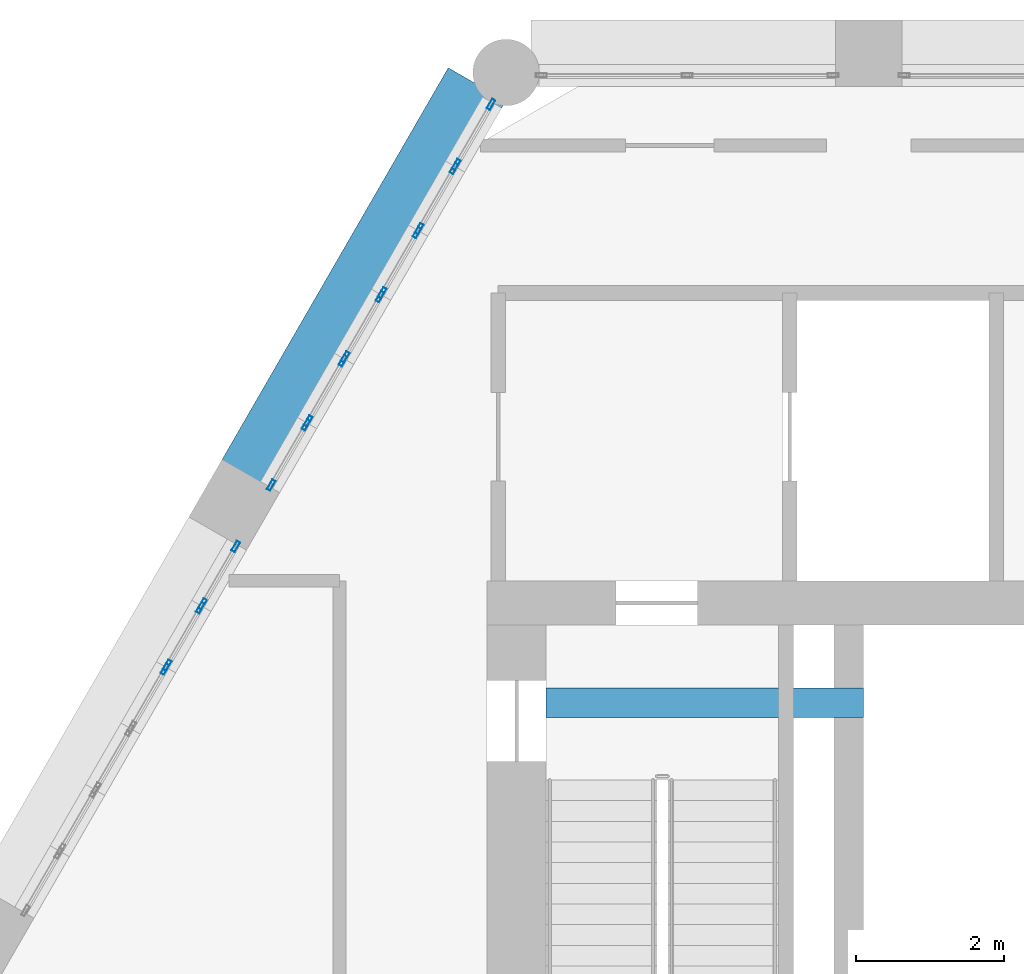
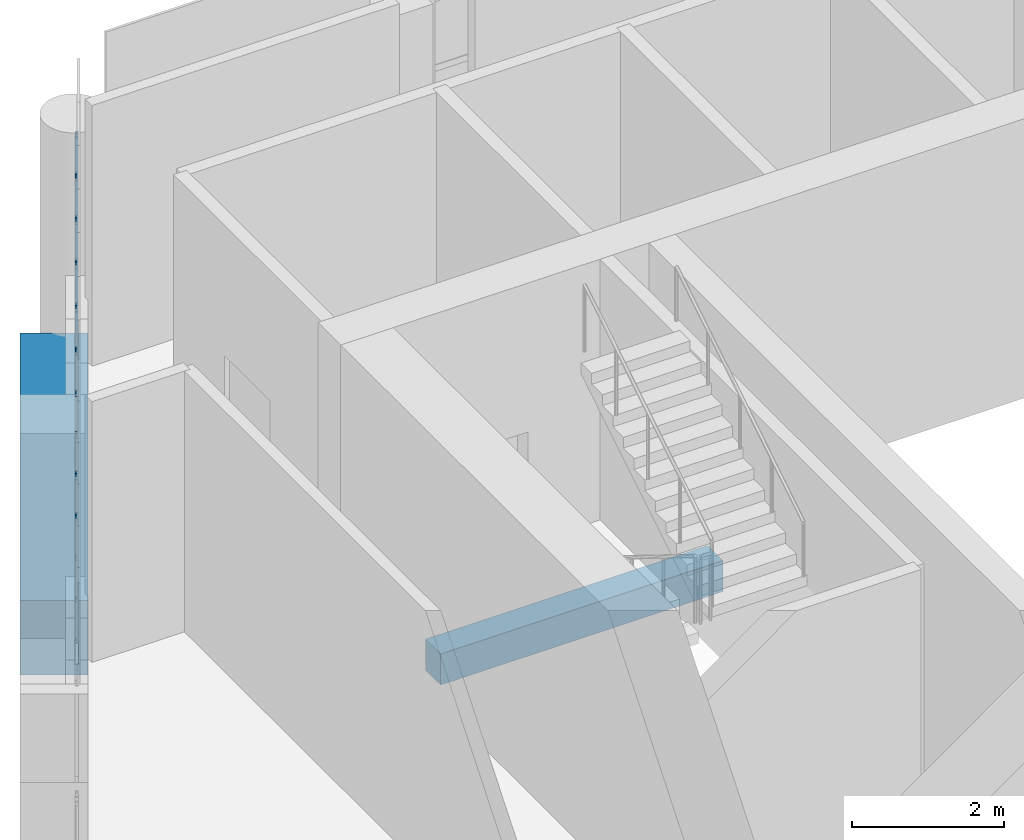
# One storey, part 8 of 25: 17 members, 2 beams, 9 elements without a shape of their own.
"""IFC4 building model written with IfcOpenShell, lengths in metres."""

import ifcopenshell
import ifcopenshell.guid

model = None  # the IFC model being written
_history = None  # IfcOwnerHistory: only IFC2X3 demands one
_inside = {}  # id of a spatial element -> (the spatial element, [elements in it])
_under = {}  # id of a project, library or spatial element -> (it, [spatial elements below it])
_declared = {}  # id of a project -> (the project, [libraries it declares])
_typed = {}  # id of a type object -> (the type object, [elements of that type])
_made_of = {}  # id of a material, layer set ... -> (it, [elements and type objects made of it])


def new_model(schema):
    """Start an empty IFC model of exactly this schema.

    Asked for "IFC4X3", IfcOpenShell would pick the latest addendum, in which some entities
    have other attributes; the version numbers below select the first issue.
    IFC2X3 requires an IfcOwnerHistory on every rooted entity: one is made here for all.
    """
    global model, _history
    if schema == "IFC4X3":
        model = ifcopenshell.file(schema_version=(4, 3, 0, 0))
    else:
        model = ifcopenshell.file(schema=schema)
    _inside.clear()
    _under.clear()
    _declared.clear()
    _typed.clear()
    _made_of.clear()
    _history = None
    if model.schema == "IFC2X3":
        org = make("IfcOrganization", Name="unknown")
        user = make(
            "IfcPersonAndOrganization",
            ThePerson=make("IfcPerson", FamilyName="unknown"),
            TheOrganization=org,
        )
        app = make(
            "IfcApplication",
            ApplicationDeveloper=org,
            Version="unknown",
            ApplicationFullName="unknown",
            ApplicationIdentifier="unknown",
        )
        _history = make(
            "IfcOwnerHistory",
            OwningUser=user,
            OwningApplication=app,
            ChangeAction="ADDED",
            CreationDate=0,
        )
    return model


def make(cls, **values):
    """One entity of the class cls with the attributes given. An attribute that is None is left unset."""
    return model.create_entity(
        cls, **{name: value for name, value in values.items() if value is not None}
    )


def rooted(cls, **values):
    """An entity with a GlobalId (a new one), such as an element, a storey or a relation."""
    return make(cls, GlobalId=ifcopenshell.guid.new(), OwnerHistory=_history, **values)


def si_unit(unit_type, name, prefix=None):
    """IfcSIUnit, for example si_unit("LENGTHUNIT", "METRE", prefix="MILLI")."""
    return make("IfcSIUnit", UnitType=unit_type, Prefix=prefix, Name=name)


def assignment(units):
    """IfcUnitAssignment: the units of a project."""
    return None if units is None else make("IfcUnitAssignment", Units=units)


def point(xyz):
    """IfcCartesianPoint."""
    return None if xyz is None else make("IfcCartesianPoint", Coordinates=xyz)


def direction(xyz):
    """IfcDirection."""
    return None if xyz is None else make("IfcDirection", DirectionRatios=xyz)


def frame(location, z_axis=None, x_axis=None):
    """IfcAxis2Placement3D, a coordinate frame: its origin and axes. An axis left out is left unset."""
    return make(
        "IfcAxis2Placement3D",
        Location=point(location),
        Axis=direction(z_axis),
        RefDirection=direction(x_axis),
    )


def frame_2d(location, x_axis=None):
    """IfcAxis2Placement2D, a coordinate frame in the plane: its origin and x axis."""
    return make(
        "IfcAxis2Placement2D", Location=point(location), RefDirection=direction(x_axis)
    )


def origin():
    """The frame at (0, 0, 0) with its axes left unset."""
    return frame((0.0, 0.0, 0.0))


def origin_2d():
    """The frame at (0, 0) in the plane with its x axis left unset."""
    return frame_2d((0.0, 0.0))


def place(relative_to, where):
    """IfcLocalPlacement: puts the frame where relative to a parent placement (None: the world)."""
    return make(
        "IfcLocalPlacement", PlacementRelTo=relative_to, RelativePlacement=where
    )


def context(
    kind, dimensions, precision=None, world=None, true_north=None, identifier=None
):
    """IfcGeometricRepresentationContext, for example the 3D "Model" context."""
    return make(
        "IfcGeometricRepresentationContext",
        ContextIdentifier=identifier,
        ContextType=kind,
        CoordinateSpaceDimension=dimensions,
        Precision=precision,
        WorldCoordinateSystem=world,
        TrueNorth=true_north,
    )


def subcontext(parent, identifier, kind, view, scale=None):
    """IfcGeometricRepresentationSubContext, for example "Body" below "Model"."""
    return make(
        "IfcGeometricRepresentationSubContext",
        ContextIdentifier=identifier,
        ContextType=kind,
        ParentContext=parent,
        TargetScale=scale,
        TargetView=view,
    )


def project(units=None, contexts=None):
    """IfcProject with its units and contexts."""
    return rooted(
        "IfcProject",
        Name="project",
        RepresentationContexts=contexts,
        UnitsInContext=assignment(units),
    )


def spatial(cls, under=None, at=None, **own):
    """A site, building, storey or space (cls), placed at a placement, below another one or the project."""
    s = rooted(cls, ObjectPlacement=at, **own)
    if under is not None:
        _under.setdefault(under.id(), (under, []))[1].append(s)
    return s


def profile(cls, at=None, kind="AREA", **sizes):
    """A parametric profile (cls). Its sizes go by their IFC names, for example OverallWidth=200.0."""
    return make(cls, ProfileType=kind, Position=at, **sizes)


def rectangle(**sizes):
    """IfcRectangleProfileDef."""
    return profile("IfcRectangleProfileDef", **sizes)


def hollow_rectangle(**sizes):
    """IfcRectangleHollowProfileDef."""
    return profile("IfcRectangleHollowProfileDef", **sizes)


def extrude(swept, where, along, depth):
    """IfcExtrudedAreaSolid: the profile swept, set in the frame where, extruded along a direction by depth."""
    return make(
        "IfcExtrudedAreaSolid",
        SweptArea=swept,
        Position=where,
        ExtrudedDirection=direction(along),
        Depth=depth,
    )


def shape(context_of_items, identifier, shape_type, items):
    """IfcShapeRepresentation: the items that make up one representation, for example the "Body"."""
    return make(
        "IfcShapeRepresentation",
        ContextOfItems=context_of_items,
        RepresentationIdentifier=identifier,
        RepresentationType=shape_type,
        Items=items,
    )


def material(Name=None, Category=None):
    """IfcMaterial."""
    return make("IfcMaterial", Name=Name, Category=Category)


def material_profile(
    of_material, cross_section, Name=None, Category=None, Priority=None
):
    """IfcMaterialProfile: a cross section and its material."""
    return make(
        "IfcMaterialProfile",
        Name=Name,
        Material=of_material,
        Profile=cross_section,
        Priority=Priority,
        Category=Category,
    )


def profile_set(profiles, Name=None, composite=None):
    """IfcMaterialProfileSet."""
    return make(
        "IfcMaterialProfileSet",
        Name=Name,
        MaterialProfiles=profiles,
        CompositeProfile=composite,
    )


def made_of(thing, what):
    """Note that an element or type object is made of a material, layer set ...; save() writes the relation."""
    if what is not None:
        _made_of.setdefault(what.id(), (what, []))[1].append(thing)
    return thing


def type_object(cls, material=None, **own):
    """A type object (cls), such as IfcWallType, which elements share."""
    return made_of(rooted(cls, **own), material)


def element(
    cls,
    number,
    at=None,
    inside=None,
    cuts=None,
    type_object=None,
    material=None,
    context=None,
    identifier="Body",
    shape_type=None,
    held_by="IfcProductDefinitionShape",
    body=None,
    shapes=None,
    **own,
):
    """One element of the class cls, such as IfcWall. Its Tag is "e" and its number.

    at: its placement. inside: the storey or other place that contains it. cuts: it is an
    opening in that element (IfcRelVoidsElement). A single representation is given by context,
    identifier, shape_type and body (its items); several are given by shapes. held_by: the class
    of the entity that holds the representations. save() writes the other relations.
    """
    e = rooted(cls, Tag="e%d" % number, ObjectPlacement=at, **own)
    if body is not None:
        shapes = [shape(context, identifier, shape_type, body)]
    if shapes is not None:
        e.Representation = make(held_by, Representations=shapes)
    if inside is not None:
        _inside.setdefault(inside.id(), (inside, []))[1].append(e)
    if cuts is not None:
        rooted(
            "IfcRelVoidsElement", RelatingBuildingElement=cuts, RelatedOpeningElement=e
        )
    if type_object is not None:
        _typed.setdefault(type_object.id(), (type_object, []))[1].append(e)
    return made_of(e, material)


def aggregate(whole, parts):
    """IfcRelAggregates: a whole, such as a stair, and the parts it consists of."""
    return rooted("IfcRelAggregates", RelatingObject=whole, RelatedObjects=parts)


def save(model, path):
    """Write the relations noted so far, then the file.

    IfcRelAggregates (storeys below a building ...), IfcRelContainedInSpatialStructure (elements
    in a storey), IfcRelDefinesByType, IfcRelAssociatesMaterial and IfcRelDeclares: one each for
    every whole, place, type object, material and project.
    """
    for whole, parts in _under.values():
        aggregate(whole, parts)
    for where, things in _inside.values():
        rooted(
            "IfcRelContainedInSpatialStructure",
            RelatedElements=things,
            RelatingStructure=where,
        )
    for kind, things in _typed.values():
        rooted("IfcRelDefinesByType", RelatedObjects=things, RelatingType=kind)
    for what, things in _made_of.values():
        rooted("IfcRelAssociatesMaterial", RelatedObjects=things, RelatingMaterial=what)
    for by, libraries in _declared.values():
        rooted("IfcRelDeclares", RelatingContext=by, RelatedDefinitions=libraries)
    model.write(path)


model = new_model("IFC4")

# Units and contexts
model_context = context("Model", 3, precision=1e-05, world=origin(), true_north=direction((0.0, 1.0)))
body_context = subcontext(model_context, "Body", "Model", "MODEL_VIEW")
ifc_project = project(units=[si_unit("LENGTHUNIT", "METRE"), si_unit("AREAUNIT", "SQUARE_METRE"), si_unit("VOLUMEUNIT", "CUBIC_METRE"), si_unit("PLANEANGLEUNIT", "RADIAN"), si_unit("MASSUNIT", "GRAM", prefix="KILO")], contexts=[model_context])

# Site, building, storey
site_placement = place(None, origin())
site = spatial("IfcSite", under=ifc_project, at=site_placement, CompositionType="ELEMENT")
building_placement = place(site_placement, origin())
building = spatial("IfcBuilding", under=site, at=building_placement, Name="Ostrander Bayou Hotel Tower", CompositionType="ELEMENT")
storey_placement = place(building_placement, frame((0.0, 0.0, 275.0)))
storey = spatial("IfcBuildingStorey", under=building, at=storey_placement, Name="L68", CompositionType="ELEMENT", Elevation=275.0)

# Curtain wall, members
ifc_material_1 = material(Name="Aluminium and clear glass", Category="aluminium")
curtain_wall_type = type_object("IfcCurtainWallType", Name="CW-CROWN glazed wall", PredefinedType="NOTDEFINED", material=ifc_material_1)
curtain_wall_1_placement = place(storey_placement, origin())
curtain_wall_1 = element("IfcCurtainWall", 1, at=curtain_wall_1_placement, inside=storey, type_object=curtain_wall_type, Name="CW-CROWN L68:NW-1-1", PredefinedType="NOTDEFINED")
ifc_material_2 = material(Name="Aluminium", Category="aluminium")
ifc_material_profile_1 = material_profile(ifc_material_2, hollow_rectangle(XDim=0.050048828125, YDim=0.14990234375, WallThickness=0.00390625, at=origin_2d()))
ifc_profile_set_1 = profile_set([ifc_material_profile_1], Name="Aluminium")
member_type = type_object("IfcMemberType", Name="CW-CR mullion 50 x 150 mm", PredefinedType="MULLION", material=ifc_profile_set_1)
member_1_placement = place(storey_placement, frame((-8.447021484375, 16.156494140625, 1.0), z_axis=(0.0, 0.0, 1.0), x_axis=(0.866026229865, -0.499998569184, 0.0)))
member_1 = element("IfcMember", 2, at=member_1_placement, type_object=member_type, Name="CW-CROWN mullion 1", PredefinedType="MULLION", context=body_context, shape_type="SweptSolid", body=[
    extrude(hollow_rectangle(XDim=0.050048828125, YDim=0.14990234375, WallThickness=0.00390625, at=origin_2d()), origin(), (0.0, 0.0, 1.0), 2.300048828125),
])
member_2_placement = place(storey_placement, frame((-8.918701171875, 15.339599609375, 1.0), z_axis=(0.0, 0.0, 1.0), x_axis=(0.866026229865, -0.499998569184, 0.0)))
member_2 = element("IfcMember", 3, at=member_2_placement, type_object=member_type, Name="CW-CROWN mullion 2", PredefinedType="MULLION", context=body_context, shape_type="SweptSolid", body=[
    extrude(hollow_rectangle(XDim=0.050048828125, YDim=0.14990234375, WallThickness=0.00390625, at=origin_2d()), origin(), (0.0, 0.0, 1.0), 2.300048828125),
])
aggregate(curtain_wall_1, [member_1, member_2])

curtain_wall_2_placement = place(storey_placement, origin())
curtain_wall_2 = element("IfcCurtainWall", 4, at=curtain_wall_2_placement, inside=storey, type_object=curtain_wall_type, Name="CW-CROWN L68:NW-1-2", PredefinedType="NOTDEFINED")
member_3_placement = place(storey_placement, frame((-8.948486328125, 15.28759765625, 1.0), z_axis=(0.0, 0.0, 1.0), x_axis=(0.866001306597, -0.50004173523, 0.0)))
member_3 = element("IfcMember", 5, at=member_3_placement, type_object=member_type, Name="CW-CROWN mullion 1", PredefinedType="MULLION", context=body_context, shape_type="SweptSolid", body=[
    extrude(hollow_rectangle(XDim=0.050048828125, YDim=0.14990234375, WallThickness=0.00390625, at=origin_2d()), origin(), (0.0, 0.0, 1.0), 2.300048828125),
])
member_4_placement = place(storey_placement, frame((-9.420166015625, 14.470947265625, 1.0), z_axis=(0.0, 0.0, 1.0), x_axis=(0.866001306597, -0.50004173523, 0.0)))
member_4 = element("IfcMember", 6, at=member_4_placement, type_object=member_type, Name="CW-CROWN mullion 2", PredefinedType="MULLION", context=body_context, shape_type="SweptSolid", body=[
    extrude(hollow_rectangle(XDim=0.050048828125, YDim=0.14990234375, WallThickness=0.00390625, at=origin_2d()), origin(), (0.0, 0.0, 1.0), 2.300048828125),
])
aggregate(curtain_wall_2, [member_3, member_4])

curtain_wall_3_placement = place(storey_placement, origin())
curtain_wall_3 = element("IfcCurtainWall", 7, at=curtain_wall_3_placement, inside=storey, type_object=curtain_wall_type, Name="CW-CROWN L68:NW-1-3", PredefinedType="NOTDEFINED")
member_5_placement = place(storey_placement, frame((-9.4501953125, 14.4189453125, 1.0), z_axis=(0.0, 0.0, 1.0), x_axis=(0.866026229865, -0.499998569184, 0.0)))
member_5 = element("IfcMember", 8, at=member_5_placement, type_object=member_type, Name="CW-CROWN mullion 1", PredefinedType="MULLION", context=body_context, shape_type="SweptSolid", body=[
    extrude(hollow_rectangle(XDim=0.050048828125, YDim=0.14990234375, WallThickness=0.00390625, at=origin_2d()), origin(), (0.0, 0.0, 1.0), 2.300048828125),
])
member_6_placement = place(storey_placement, frame((-9.921875, 13.60205078125, 1.0), z_axis=(0.0, 0.0, 1.0), x_axis=(0.866026229865, -0.499998569184, 0.0)))
member_6 = element("IfcMember", 9, at=member_6_placement, type_object=member_type, Name="CW-CROWN mullion 2", PredefinedType="MULLION", context=body_context, shape_type="SweptSolid", body=[
    extrude(hollow_rectangle(XDim=0.050048828125, YDim=0.14990234375, WallThickness=0.00390625, at=origin_2d()), origin(), (0.0, 0.0, 1.0), 2.300048828125),
])
aggregate(curtain_wall_3, [member_5, member_6])

curtain_wall_4_placement = place(storey_placement, origin())
curtain_wall_4 = element("IfcCurtainWall", 10, at=curtain_wall_4_placement, inside=storey, type_object=curtain_wall_type, Name="CW-CROWN L68:NW-1-4", PredefinedType="NOTDEFINED")
member_7_placement = place(storey_placement, frame((-9.951904296875, 13.550048828125, 1.0), z_axis=(0.0, 0.0, 1.0), x_axis=(0.866069391736, -0.499923802893, 0.0)))
member_7 = element("IfcMember", 11, at=member_7_placement, type_object=member_type, Name="CW-CROWN mullion 1", PredefinedType="MULLION", context=body_context, shape_type="SweptSolid", body=[
    extrude(hollow_rectangle(XDim=0.050048828125, YDim=0.14990234375, WallThickness=0.00390625, at=origin_2d()), origin(), (0.0, 0.0, 1.0), 2.300048828125),
])
member_8_placement = place(storey_placement, frame((-10.42333984375, 12.7333984375, 1.0), z_axis=(0.0, 0.0, 1.0), x_axis=(0.866069391736, -0.499923802893, 0.0)))
member_8 = element("IfcMember", 12, at=member_8_placement, type_object=member_type, Name="CW-CROWN mullion 2", PredefinedType="MULLION", context=body_context, shape_type="SweptSolid", body=[
    extrude(hollow_rectangle(XDim=0.050048828125, YDim=0.14990234375, WallThickness=0.00390625, at=origin_2d()), origin(), (0.0, 0.0, 1.0), 2.300048828125),
])
aggregate(curtain_wall_4, [member_7, member_8])

curtain_wall_5_placement = place(storey_placement, origin())
curtain_wall_5 = element("IfcCurtainWall", 13, at=curtain_wall_5_placement, inside=storey, type_object=curtain_wall_type, Name="CW-CROWN L68:NW-1-5", PredefinedType="NOTDEFINED")
member_9_placement = place(storey_placement, frame((-10.453369140625, 12.681396484375, 1.0), z_axis=(0.0, 0.0, 1.0), x_axis=(0.866001306597, -0.50004173523, 0.0)))
member_9 = element("IfcMember", 14, at=member_9_placement, type_object=member_type, Name="CW-CROWN mullion 1", PredefinedType="MULLION", context=body_context, shape_type="SweptSolid", body=[
    extrude(hollow_rectangle(XDim=0.050048828125, YDim=0.14990234375, WallThickness=0.00390625, at=origin_2d()), origin(), (0.0, 0.0, 1.0), 2.300048828125),
])
member_10_placement = place(storey_placement, frame((-10.9248046875, 11.864501953125, 1.0), z_axis=(0.0, 0.0, 1.0), x_axis=(0.866001306597, -0.50004173523, 0.0)))
member_10 = element("IfcMember", 15, at=member_10_placement, type_object=member_type, Name="CW-CROWN mullion 2", PredefinedType="MULLION", context=body_context, shape_type="SweptSolid", body=[
    extrude(hollow_rectangle(XDim=0.050048828125, YDim=0.14990234375, WallThickness=0.00390625, at=origin_2d()), origin(), (0.0, 0.0, 1.0), 2.300048828125),
])
aggregate(curtain_wall_5, [member_9, member_10])

curtain_wall_6_placement = place(storey_placement, origin())
curtain_wall_6 = element("IfcCurtainWall", 16, at=curtain_wall_6_placement, inside=storey, type_object=curtain_wall_type, Name="CW-CROWN L68:NW-1-6", PredefinedType="NOTDEFINED")
member_11_placement = place(storey_placement, frame((-10.954833984375, 11.8125, 1.0), z_axis=(0.0, 0.0, 1.0), x_axis=(0.866026229865, -0.499998569184, 0.0)))
member_11 = element("IfcMember", 17, at=member_11_placement, type_object=member_type, Name="CW-CROWN mullion 1", PredefinedType="MULLION", context=body_context, shape_type="SweptSolid", body=[
    extrude(hollow_rectangle(XDim=0.050048828125, YDim=0.14990234375, WallThickness=0.00390625, at=origin_2d()), origin(), (0.0, 0.0, 1.0), 2.300048828125),
])
member_12_placement = place(storey_placement, frame((-11.426513671875, 10.995849609375, 1.0), z_axis=(0.0, 0.0, 1.0), x_axis=(0.866026229865, -0.499998569184, 0.0)))
member_12 = element("IfcMember", 18, at=member_12_placement, type_object=member_type, Name="CW-CROWN mullion 2", PredefinedType="MULLION", context=body_context, shape_type="SweptSolid", body=[
    extrude(hollow_rectangle(XDim=0.050048828125, YDim=0.14990234375, WallThickness=0.00390625, at=origin_2d()), origin(), (0.0, 0.0, 1.0), 2.300048828125),
])
aggregate(curtain_wall_6, [member_11, member_12])

curtain_wall_7_placement = place(storey_placement, origin())
curtain_wall_7 = element("IfcCurtainWall", 19, at=curtain_wall_7_placement, inside=storey, type_object=curtain_wall_type, Name="CW-CROWN L68:NW-2-1", PredefinedType="NOTDEFINED")
member_13_placement = place(storey_placement, frame((-11.906494140625, 10.164306640625, 1.0), z_axis=(0.0, 0.0, 1.0), x_axis=(0.866022491007, -0.500005045044, 0.0)))
member_13 = element("IfcMember", 20, at=member_13_placement, type_object=member_type, Name="CW-CROWN mullion 1", PredefinedType="MULLION", context=body_context, shape_type="SweptSolid", body=[
    extrude(hollow_rectangle(XDim=0.050048828125, YDim=0.14990234375, WallThickness=0.00390625, at=origin_2d()), origin(), (0.0, 0.0, 1.0), 2.300048828125),
])
member_14_placement = place(storey_placement, frame((-12.3564453125, 9.38525390625, 1.0), z_axis=(0.0, 0.0, 1.0), x_axis=(0.866022491007, -0.500005045044, 0.0)))
member_14 = element("IfcMember", 21, at=member_14_placement, type_object=member_type, Name="CW-CROWN mullion 2", PredefinedType="MULLION", context=body_context, shape_type="SweptSolid", body=[
    extrude(hollow_rectangle(XDim=0.050048828125, YDim=0.14990234375, WallThickness=0.00390625, at=origin_2d()), origin(), (0.0, 0.0, 1.0), 2.300048828125),
])
aggregate(curtain_wall_7, [member_13, member_14])

curtain_wall_8_placement = place(storey_placement, origin())
curtain_wall_8 = element("IfcCurtainWall", 22, at=curtain_wall_8_placement, inside=storey, type_object=curtain_wall_type, Name="CW-CROWN L68:NW-2-2", PredefinedType="NOTDEFINED")
member_15_placement = place(storey_placement, frame((-12.386474609375, 9.333251953125, 1.0), z_axis=(0.0, 0.0, 1.0), x_axis=(0.866022491007, -0.500005045044, 0.0)))
member_15 = element("IfcMember", 23, at=member_15_placement, type_object=member_type, Name="CW-CROWN mullion 1", PredefinedType="MULLION", context=body_context, shape_type="SweptSolid", body=[
    extrude(hollow_rectangle(XDim=0.050048828125, YDim=0.14990234375, WallThickness=0.00390625, at=origin_2d()), origin(), (0.0, 0.0, 1.0), 2.300048828125),
])
member_16_placement = place(storey_placement, frame((-12.836181640625, 8.553955078125, 1.0), z_axis=(0.0, 0.0, 1.0), x_axis=(0.866022491007, -0.500005045044, 0.0)))
member_16 = element("IfcMember", 24, at=member_16_placement, type_object=member_type, Name="CW-CROWN mullion 2", PredefinedType="MULLION", context=body_context, shape_type="SweptSolid", body=[
    extrude(hollow_rectangle(XDim=0.050048828125, YDim=0.14990234375, WallThickness=0.00390625, at=origin_2d()), origin(), (0.0, 0.0, 1.0), 2.300048828125),
])
aggregate(curtain_wall_8, [member_15, member_16])

# Curtain wall, member
curtain_wall_9_placement = place(storey_placement, origin())
curtain_wall_9 = element("IfcCurtainWall", 25, at=curtain_wall_9_placement, inside=storey, type_object=curtain_wall_type, Name="CW-CROWN L68:NW-2-3", PredefinedType="NOTDEFINED")
member_17_placement = place(storey_placement, frame((-12.8662109375, 8.501953125, 1.0), z_axis=(0.0, 0.0, 1.0), x_axis=(0.866022491007, -0.500005045044, 0.0)))
member_17 = element("IfcMember", 26, at=member_17_placement, type_object=member_type, Name="CW-CROWN mullion 1", PredefinedType="MULLION", context=body_context, shape_type="SweptSolid", body=[
    extrude(hollow_rectangle(XDim=0.050048828125, YDim=0.14990234375, WallThickness=0.00390625, at=origin_2d()), origin(), (0.0, 0.0, 1.0), 2.300048828125),
])
aggregate(curtain_wall_9, [member_17])

# Beams
ifc_material_3 = material(Name="Concrete f'c 60 MPa", Category="concrete")
ifc_material_profile_2 = material_profile(ifc_material_3, rectangle(XDim=0.39990234375, YDim=0.5, at=origin_2d()))
ifc_profile_set_2 = profile_set([ifc_material_profile_2], Name="Concrete f'c 60 MPa")
beam_type_1 = type_object("IfcBeamType", Name="LD1 landing support beam 400 x 500 mm f'c 60 MPa", PredefinedType="BEAM", material=ifc_profile_set_2)
beam_1_placement = place(storey_placement, frame((-7.699951171875, 8.050048828125, -0.550048828125), z_axis=(1.0, 0.0, 0.0), x_axis=(0.0, 1.0, 0.0)))
element("IfcBeam", 27, at=beam_1_placement, inside=storey, type_object=beam_type_1, Name="LD1 L68 LANDING BEAM 001", PredefinedType="BEAM", context=body_context, shape_type="SweptSolid", body=[
    extrude(rectangle(XDim=0.39990234375, YDim=0.5, at=origin_2d()), origin(), (0.0, 0.0, 1.0), 4.300048828125),
])
ifc_material_4 = material(Name="Concrete f'c 60 MPa", Category="concrete")
ifc_material_profile_3 = material_profile(ifc_material_4, rectangle(XDim=0.89990234375, YDim=1.199951171875, at=origin_2d()))
ifc_profile_set_3 = profile_set([ifc_material_profile_3], Name="Concrete f'c 60 MPa")
beam_type_2 = type_object("IfcBeamType", Name="SP4 spandrel beam 900 x 1200 mm f'c 60 MPa", PredefinedType="SPANDREL", material=ifc_profile_set_3)
beam_2_placement = place(storey_placement, frame((-8.63671875, 16.427978515625, -0.60009765625), z_axis=(-0.499984362083, -0.866034432152, 0.0), x_axis=(0.866034432152, -0.499984362083, 0.0)))
element("IfcBeam", 28, at=beam_2_placement, inside=storey, type_object=beam_type_2, Name="SP4 L68 NW-1", PredefinedType="SPANDREL", context=body_context, shape_type="SweptSolid", body=[
    extrude(rectangle(XDim=0.89990234375, YDim=1.199951171875, at=origin_2d()), origin(), (0.0, 0.0, 1.0), 6.159423828125),
])

save(model, "model.ifc")
